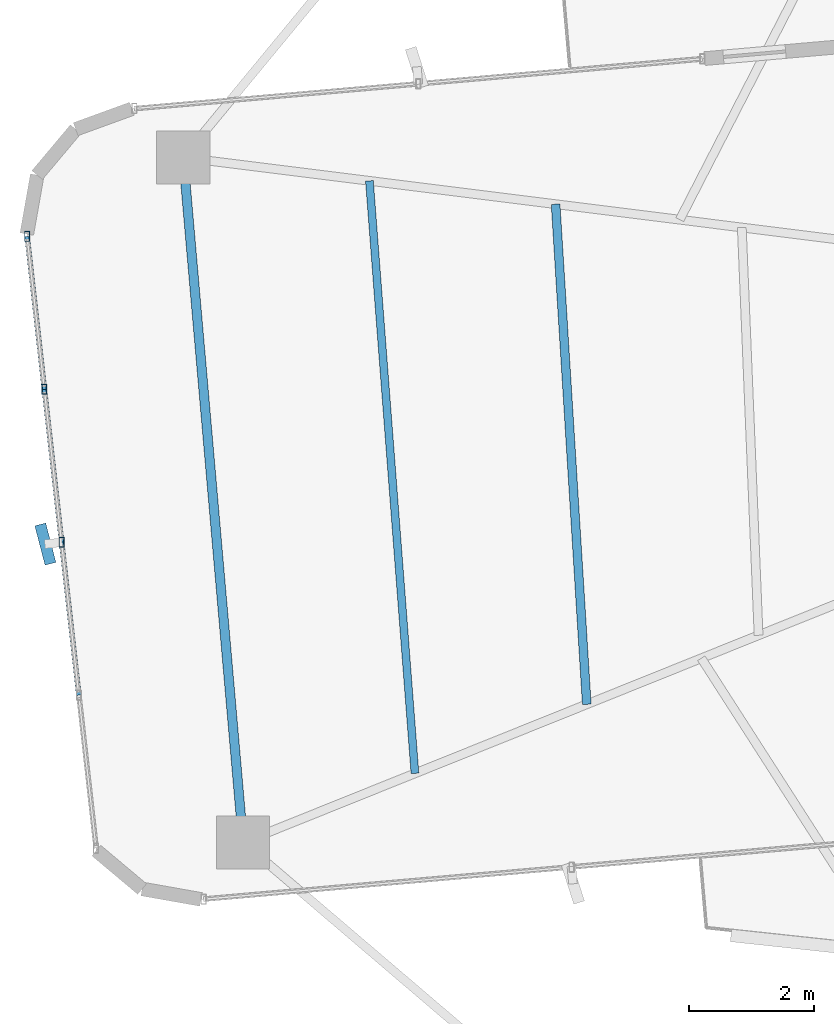
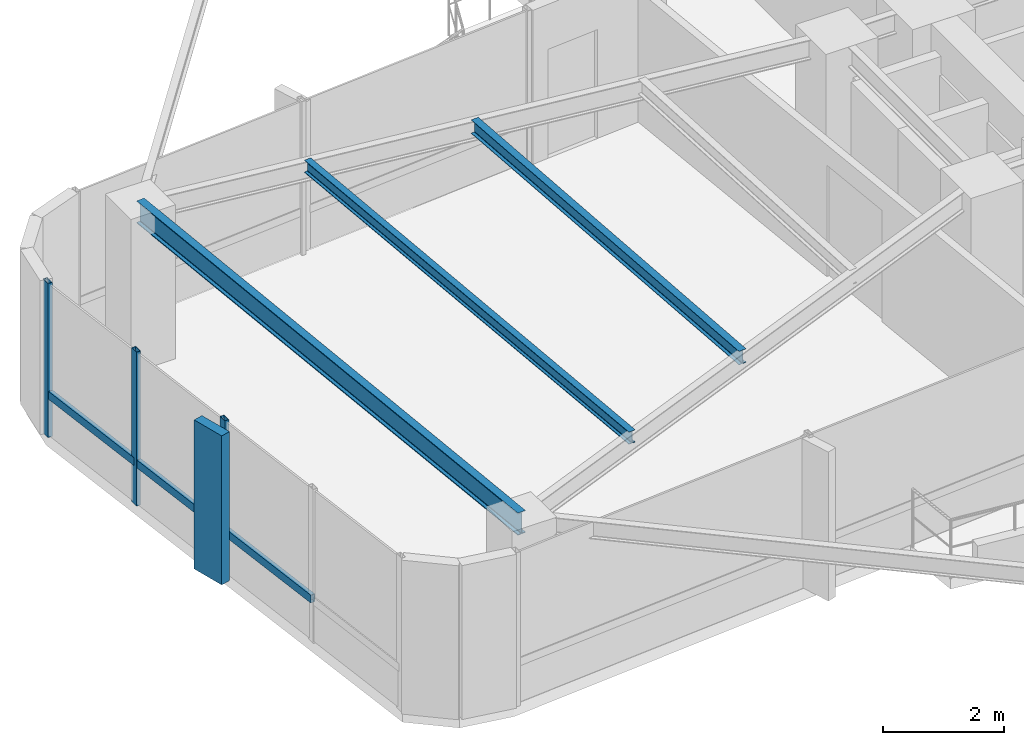
# One storey, part 8 of 24: 7 members, 3 beams, 1 element without a shape of its own.
"""IFC4 building model written with IfcOpenShell, lengths in metres."""

from ifc_helpers import new_model, si_unit, direction, frame, origin, origin_2d, place, context, subcontext, project, spatial, rectangle, hollow_rectangle, i_section, extrude, source, transform, mapped, material, material_profile, profile_set, type_object, element, aggregate, save


model = new_model("IFC4")

# Units and contexts
model_context = context("Model", 3, precision=1e-05, world=origin(), true_north=direction((0.0, 1.0)))
body_context = subcontext(model_context, "Body", "Model", "MODEL_VIEW")
ifc_project = project(units=[si_unit("LENGTHUNIT", "METRE"), si_unit("AREAUNIT", "SQUARE_METRE"), si_unit("VOLUMEUNIT", "CUBIC_METRE"), si_unit("PLANEANGLEUNIT", "RADIAN"), si_unit("MASSUNIT", "GRAM", prefix="KILO")], contexts=[model_context])

# Site, building, storey
site_placement = place(None, origin())
site = spatial("IfcSite", under=ifc_project, at=site_placement, CompositionType="ELEMENT")
building_placement = place(site_placement, origin())
building = spatial("IfcBuilding", under=site, at=building_placement, Name="Sahyath Konkavel Grand Hotel", CompositionType="ELEMENT")
storey_placement = place(building_placement, frame((0.0, 0.0, 164.0)))
storey = spatial("IfcBuildingStorey", under=building, at=storey_placement, Name="L45", CompositionType="ELEMENT", Elevation=164.0)

# Beams
ifc_material_1 = material(Name="Steel E350", Category="steel")
ifc_material_profile_1 = material_profile(ifc_material_1, i_section(OverallWidth=0.14990234375, OverallDepth=0.449951171875, WebThickness=0.009521484375, FlangeThickness=0.017333984375, FilletRadius=0.014892578125, at=origin_2d()), Name="ISMB 450")
ifc_profile_set_1 = profile_set([ifc_material_profile_1], Name="Steel E350")
beam_type_1 = type_object("IfcBeamType", Name="BM-ISMB450", PredefinedType="BEAM", material=ifc_profile_set_1)
shared_shape_1 = source(origin(), body_context, "Body", "SweptSolid", [
    extrude(i_section(OverallWidth=0.14990234375, OverallDepth=0.449951171875, WebThickness=0.009521484375, FlangeThickness=0.017333984375, FilletRadius=0.014892578125, at=origin_2d()), origin(), (0.0, 0.0, 1.0), 11.0),
])
beam_1_placement = place(storey_placement, frame((-17.912841796875, 3.953857421875, 2.885009765625), z_axis=(0.087157314015, -0.996194560622, 0.0), x_axis=(0.996194560622, 0.087157314015, 0.0)))
element("IfcBeam", 1, at=beam_1_placement, inside=storey, type_object=beam_type_1, Name="L45 Wing Tip Edge Beam W", PredefinedType="BEAM", context=body_context, shape_type="MappedRepresentation", body=[
    mapped(shared_shape_1, transform((0.0, 0.0, 0.0), scale=1.0)),
])
ifc_material_profile_2 = material_profile(ifc_material_1, i_section(OverallWidth=0.139892578125, OverallDepth=0.27490234375, WebThickness=0.00634765625, FlangeThickness=0.0087890625, FilletRadius=0.012939453125, at=origin_2d()), Name="ISLB 275")
ifc_profile_set_2 = profile_set([ifc_material_profile_2], Name="Steel E350")
beam_type_2 = type_object("IfcBeamType", Name="BM-ISLB275", PredefinedType="BEAM", material=ifc_profile_set_2)
shared_shape_2 = source(origin(), body_context, "Body", "SweptSolid", [
    extrude(i_section(OverallWidth=0.139892578125, OverallDepth=0.27490234375, WebThickness=0.00634765625, FlangeThickness=0.0087890625, FilletRadius=0.012939453125, at=origin_2d()), origin(), (0.0, 0.0, 1.0), 8.017822265625),
])
beam_2_placement = place(storey_placement, frame((-11.95458984375, 3.2080078125, 2.972412109375), z_axis=(0.062179233264, -0.998064999362, 0.0), x_axis=(0.998064999362, 0.062179233264, 0.0)))
element("IfcBeam", 2, at=beam_2_placement, inside=storey, type_object=beam_type_2, Name="L45 Secondary Floor Beam W-2", PredefinedType="BEAM", context=body_context, shape_type="MappedRepresentation", body=[
    mapped(shared_shape_2, transform((0.0, 0.0, 0.0), scale=1.0)),
])
ifc_material_profile_3 = material_profile(ifc_material_1, i_section(OverallWidth=0.125, OverallDepth=0.25, WebThickness=0.0068359375, FlangeThickness=0.012451171875, FilletRadius=0.012939453125, at=origin_2d()), Name="ISMB 250")
ifc_profile_set_3 = profile_set([ifc_material_profile_3], Name="Steel E350")
beam_type_3 = type_object("IfcBeamType", Name="BM-ISMB250", PredefinedType="BEAM", material=ifc_profile_set_3)
shared_shape_3 = source(origin(), body_context, "Body", "SweptSolid", [
    extrude(i_section(OverallWidth=0.125, OverallDepth=0.25, WebThickness=0.0068359375, FlangeThickness=0.012451171875, FilletRadius=0.012939453125, at=origin_2d()), origin(), (0.0, 0.0, 1.0), 9.508056640625),
])
beam_3_placement = place(storey_placement, frame((-14.93359375, 3.580810546875, 2.985107421875), z_axis=(0.076619921029, -0.997060373148, 0.0), x_axis=(0.997060373148, 0.076619921029, 0.0)))
element("IfcBeam", 3, at=beam_3_placement, inside=storey, type_object=beam_type_3, Name="L45 Secondary Floor Beam W-3", PredefinedType="BEAM", context=body_context, shape_type="MappedRepresentation", body=[
    mapped(shared_shape_3, transform((0.0, 0.0, 0.0), scale=1.0)),
])

# Curtain wall, members
ifc_material_2 = material(Name="Anodised Bronze Aluminium & Low-E Glazing", Category="aluminium")
curtain_wall_type = type_object("IfcCurtainWallType", Name="CW-ZONE3", PredefinedType="NOTDEFINED", material=ifc_material_2)
curtain_wall_placement = place(storey_placement, origin())
curtain_wall = element("IfcCurtainWall", 4, at=curtain_wall_placement, inside=storey, type_object=curtain_wall_type, Name="L45 Unitised Curtain Wall F20", PredefinedType="NOTDEFINED")
ifc_material_3 = material(Name="Warm Buff Sandstone Cladding on Concrete C50/60", Category="masonry")
ifc_material_profile_4 = material_profile(ifc_material_3, rectangle(XDim=0.179931640625, YDim=0.64990234375, at=origin_2d()), Name="FIN 180x650")
ifc_profile_set_4 = profile_set([ifc_material_profile_4], Name="Warm Buff Sandstone Cladding on Concrete C50/60")
member_type_1 = type_object("IfcMemberType", Name="FIN-SANDSTONE-650", PredefinedType="MULLION", material=ifc_profile_set_4)
shared_shape_4 = source(origin(), body_context, "Body", "SweptSolid", [
    extrude(rectangle(XDim=0.179931640625, YDim=0.64990234375, at=origin_2d()), origin(), (0.0, 0.0, 1.0), 3.010009765625),
])
member_1_placement = place(storey_placement, frame((-20.1181640625, -2.23095703125, 0.050048828125), z_axis=(0.0, 0.0, 1.0), x_axis=(0.967884912253, 0.251393708421, 0.0)))
member_1 = element("IfcMember", 5, at=member_1_placement, type_object=member_type_1, Name="L45 Sandstone Vertical Solar Fin FIN F20-2", PredefinedType="MULLION", context=body_context, shape_type="MappedRepresentation", body=[
    mapped(shared_shape_4, transform((0.0, 0.0, 0.0), scale=1.0)),
])
ifc_material_4 = material(Name="Anodised Bronze Aluminium", Category="aluminium")
ifc_material_profile_5 = material_profile(ifc_material_4, hollow_rectangle(XDim=0.080078125, YDim=0.159912109375, WallThickness=0.006103515625, at=origin_2d()), Name="RHS 160x80x6")
ifc_profile_set_5 = profile_set([ifc_material_profile_5], Name="Anodised Bronze Aluminium")
member_type_2 = type_object("IfcMemberType", Name="CW-MUL-160", PredefinedType="MULLION", material=ifc_profile_set_5)
shared_shape_5 = source(origin(), body_context, "Body", "SweptSolid", [
    extrude(hollow_rectangle(XDim=0.080078125, YDim=0.159912109375, WallThickness=0.006103515625, at=origin_2d()), origin(), (0.0, 0.0, 1.0), 3.110107421875),
])
member_2_placement = place(storey_placement, frame((-20.4111328125, 2.69140625, 0.0), z_axis=(0.0, 0.0, 1.0), x_axis=(1.0, 0.0, 0.0)))
member_2 = element("IfcMember", 6, at=member_2_placement, type_object=member_type_2, Name="L45 Curtain Wall Mullion F20-0", PredefinedType="MULLION", context=body_context, shape_type="MappedRepresentation", body=[
    mapped(shared_shape_5, transform((0.0, 0.0, 0.0), scale=1.0)),
])
member_3_placement = place(storey_placement, frame((-20.135498046875, 0.24462890625, 0.0), z_axis=(0.0, 0.0, 1.0), x_axis=(1.0, 0.0, 0.0)))
member_3 = element("IfcMember", 7, at=member_3_placement, type_object=member_type_2, Name="L45 Curtain Wall Mullion F20-1", PredefinedType="MULLION", context=body_context, shape_type="MappedRepresentation", body=[
    mapped(shared_shape_5, transform((0.0, 0.0, 0.0), scale=1.0)),
])
member_4_placement = place(storey_placement, frame((-19.859619140625, -2.201904296875, 0.0), z_axis=(0.0, 0.0, 1.0), x_axis=(1.0, 0.0, 0.0)))
member_4 = element("IfcMember", 8, at=member_4_placement, type_object=member_type_2, Name="L45 Curtain Wall Mullion F20-2", PredefinedType="MULLION", context=body_context, shape_type="MappedRepresentation", body=[
    mapped(shared_shape_5, transform((0.0, 0.0, 0.0), scale=1.0)),
])
ifc_material_profile_6 = material_profile(ifc_material_4, hollow_rectangle(XDim=0.080078125, YDim=0.159912109375, WallThickness=0.006103515625, at=origin_2d()), Name="RHS 160x80x6")
ifc_profile_set_6 = profile_set([ifc_material_profile_6], Name="Anodised Bronze Aluminium")
member_type_3 = type_object("IfcMemberType", Name="CW-TRN-160", PredefinedType="USERDEFINED", material=ifc_profile_set_6)
shared_shape_6 = source(origin(), body_context, "Body", "SweptSolid", [
    extrude(hollow_rectangle(XDim=0.080078125, YDim=0.159912109375, WallThickness=0.006103515625, at=origin_2d()), origin(), (0.0, 0.0, 1.0), 2.462158203125),
])
member_5_placement = place(storey_placement, frame((-20.4111328125, 2.69140625, 0.85009765625), z_axis=(0.11194409079, -0.993714506555, 0.0), x_axis=(0.993714506555, 0.11194409079, 0.0)))
member_5 = element("IfcMember", 9, at=member_5_placement, type_object=member_type_3, Name="L45 Curtain Wall Transom F20-0-spandrel", ObjectType="TRANSOM", PredefinedType="USERDEFINED", context=body_context, shape_type="MappedRepresentation", body=[
    mapped(shared_shape_6, transform((0.0, 0.0, 0.0), scale=1.0)),
])
member_6_placement = place(storey_placement, frame((-20.135498046875, 0.24462890625, 0.85009765625), z_axis=(0.112053040279, -0.99370222711, 0.0), x_axis=(0.99370222711, 0.112053040279, 0.0)))
member_6 = element("IfcMember", 10, at=member_6_placement, type_object=member_type_3, Name="L45 Curtain Wall Transom F20-1-spandrel", ObjectType="TRANSOM", PredefinedType="USERDEFINED", context=body_context, shape_type="MappedRepresentation", body=[
    mapped(shared_shape_6, transform((0.0, 0.0, 0.0), scale=1.0)),
])
shared_shape_7 = source(origin(), body_context, "Body", "SweptSolid", [
    extrude(hollow_rectangle(XDim=0.080078125, YDim=0.159912109375, WallThickness=0.006103515625, at=origin_2d()), origin(), (0.0, 0.0, 1.0), 2.461669921875),
])
member_7_placement = place(storey_placement, frame((-19.859619140625, -2.201904296875, 0.85009765625), z_axis=(0.111966154832, -0.993712020744, 0.0), x_axis=(0.993712020744, 0.111966154832, 0.0)))
member_7 = element("IfcMember", 11, at=member_7_placement, type_object=member_type_3, Name="L45 Curtain Wall Transom F20-2-spandrel", ObjectType="TRANSOM", PredefinedType="USERDEFINED", context=body_context, shape_type="MappedRepresentation", body=[
    mapped(shared_shape_7, transform((0.0, 0.0, 0.0), scale=1.0)),
])
aggregate(curtain_wall, [member_2, member_3, member_4, member_1, member_5, member_6, member_7])

save(model, "model.ifc")
